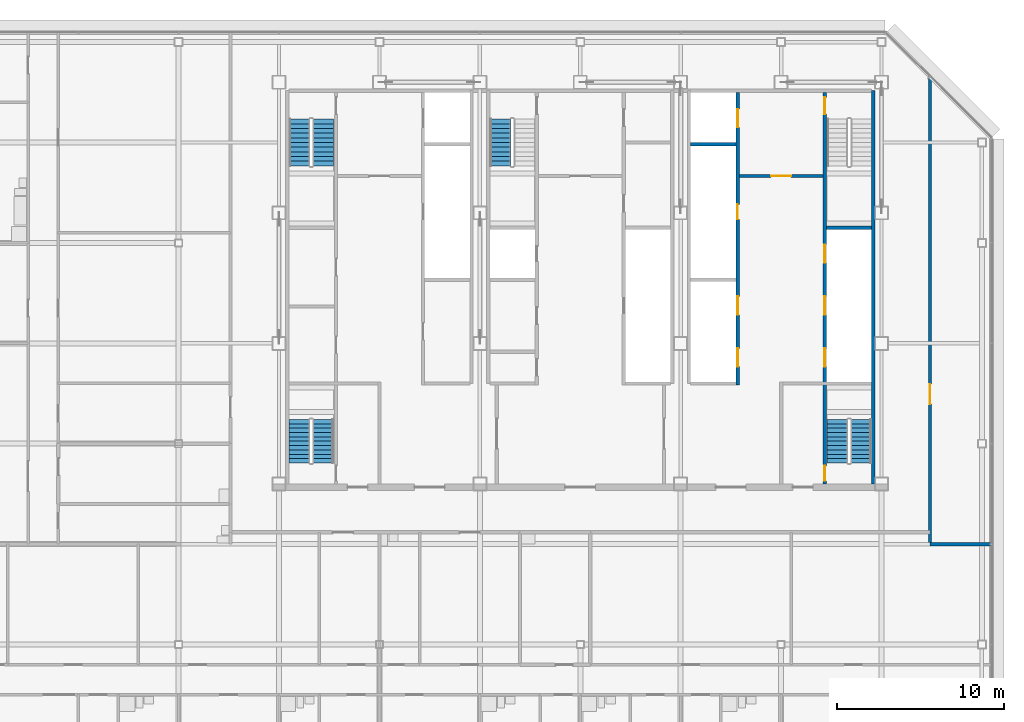
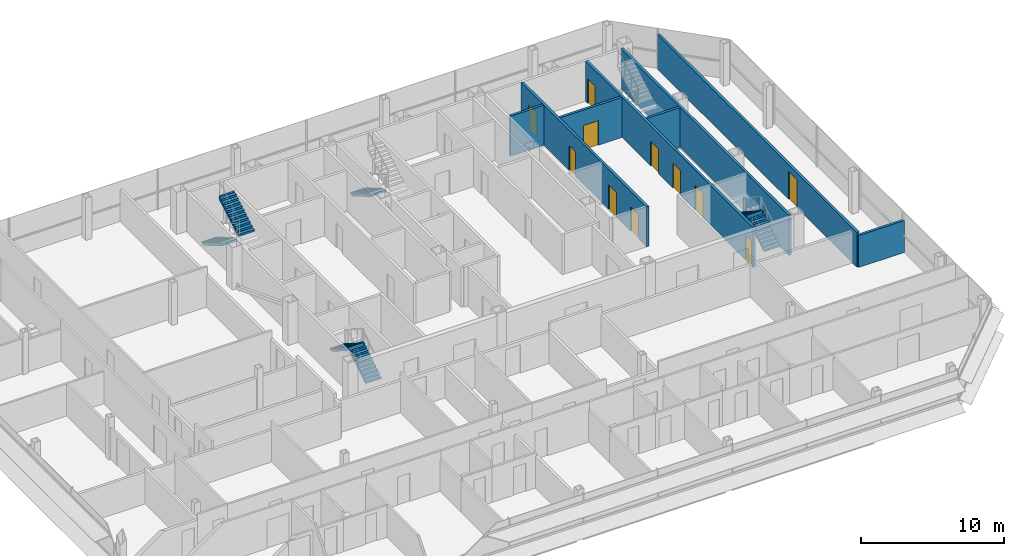
# One storey, part 25 of 28: 11 doors, 8 walls, 7 stair flights, 11 openings, 4 elements without a shape of their own.
"""IFC4 building model written with IfcOpenShell, lengths in metres."""

from ifc_helpers import new_model, si_unit, direction, frame, frame_2d, origin, place, context, subcontext, project, spatial, polyline, rectangle, outline, extrude, material, layer, layer_set, type_object, element, fill, aggregate, save


model = new_model("IFC4")

# Units and contexts
model_context = context("Model", 3, precision=1e-05, world=origin(), true_north=direction((0.0, 1.0)))
body_context = subcontext(model_context, "Body", "Model", "MODEL_VIEW")
ifc_project = project(units=[si_unit("LENGTHUNIT", "METRE"), si_unit("AREAUNIT", "SQUARE_METRE"), si_unit("VOLUMEUNIT", "CUBIC_METRE"), si_unit("PLANEANGLEUNIT", "RADIAN"), si_unit("MASSUNIT", "GRAM", prefix="KILO")], contexts=[model_context])

# Site, building, storey
site_placement = place(None, origin())
site = spatial("IfcSite", under=ifc_project, at=site_placement, CompositionType="ELEMENT")
building_placement = place(site_placement, origin())
building = spatial("IfcBuilding", under=site, at=building_placement, Name="Sorahane Residences", CompositionType="ELEMENT")
storey_placement = place(building_placement, frame((0.0, 0.0, 308.800048828125)))
storey = spatial("IfcBuildingStorey", under=building, at=storey_placement, Name="L73", CompositionType="ELEMENT", Elevation=308.800048828125)

# Wall
ifc_material_1 = material(Name="Concrete C30", Category="concrete")
ifc_layer_1 = layer(ifc_material_1, 0.199951171875)
ifc_layer_set_1 = layer_set([ifc_layer_1], Name="Core face wall 200 EI 180")
wall_type_1 = type_object("IfcWallType", Name="Core face wall 200 EI 180", PredefinedType="SOLIDWALL", material=ifc_layer_set_1)
wall_1_placement = place(storey_placement, frame((41.5, 21.60009765625, 0.0), z_axis=(0.0, 0.0, 1.0), x_axis=(0.0, 1.0, 0.0)))
element("IfcWall", 1, at=wall_1_placement, inside=storey, type_object=wall_type_1, Name="L73 core face wall", PredefinedType="SOLIDWALL", context=body_context, shape_type="SweptSolid", body=[
    extrude(rectangle(XDim=23.5, YDim=0.199951171875, at=frame_2d((11.75, 0.0))), origin(), (0.0, 0.0, 1.0), 3.419921875),
])

# Wall, opening, door
ifc_material_2 = material(Name="Concrete blockwork C20 wall", Category="masonry")
ifc_layer_2 = layer(ifc_material_2, 0.199951171875)
ifc_layer_set_2 = layer_set([ifc_layer_2], Name="Corridor wall 200 EI 120")
wall_type_2 = type_object("IfcWallType", Name="Corridor wall 200 EI 120", PredefinedType="SOLIDWALL", material=ifc_layer_set_2)
wall_2_placement = place(storey_placement, frame((44.89990234375, 18.0, 0.0), z_axis=(0.0, 0.0, 1.0), x_axis=(0.0, 1.0, 0.0)))
wall_2 = element("IfcWall", 2, at=wall_2_placement, inside=storey, type_object=wall_type_2, Name="L73 corridor wall", PredefinedType="SOLIDWALL", context=body_context, shape_type="SweptSolid", body=[
    extrude(rectangle(XDim=27.948974609375, YDim=0.199951171875, at=frame_2d((13.974609375, 0.0))), origin(), (0.0, 0.0, 1.0), 2.969970703125),
])
opening_1_placement = place(wall_2_placement, frame((8.360107421875, 0.0, 0.0)))
opening_1 = element("IfcOpeningElement", 3, at=opening_1_placement, cuts=wall_2, Name="Opening L73-47", PredefinedType="OPENING", context=body_context, shape_type="SweptSolid", body=[
    extrude(rectangle(XDim=1.199951171875, YDim=2.39990234375, at=frame_2d((0.60009765625, 1.199951171875))), frame((0.0, 0.10986328125, 0.0), z_axis=(0.0, -1.0, 0.0), x_axis=(1.0, 0.0, 0.0)), (0.0, 0.0, 1.0), 0.219970703125),
])
ifc_material_3 = material(Name="Steel", Category="steel")
door_type_1 = type_object("IfcDoorType", Name="Lobby door 1200x2400 FD60", OperationType="NOTDEFINED", PredefinedType="DOOR", material=ifc_material_3)
door_1_placement = place(opening_1_placement, frame((1.199951171875, 0.0, 0.0), z_axis=(0.0, 0.0, 1.0), x_axis=(-1.0, 0.0, 0.0)))
door_1 = element("IfcDoor", 4, at=door_1_placement, inside=storey, type_object=door_type_1, Name="Lobby door L73-47", OperationType="SINGLE_SWING_RIGHT", OverallHeight=2.39990234375, OverallWidth=1.199951171875, PredefinedType="DOOR", context=body_context, shape_type="SweptSolid", body=[
    extrude(rectangle(XDim=1.199951171875, YDim=2.39990234375, at=frame_2d((0.60009765625, 1.199951171875))), frame((0.0, 0.02490234375, 0.0), z_axis=(0.0, -1.0, 0.0), x_axis=(1.0, 0.0, 0.0)), (0.0, 0.0, 1.0), 0.050048828125),
])
fill(opening_1, door_1)

# Wall
wall_3_placement = place(storey_placement, frame((44.89990234375, 18.0, 0.0), z_axis=(0.0, 0.0, 1.0), x_axis=(1.0, 0.0, 0.0)))
element("IfcWall", 5, at=wall_3_placement, inside=storey, type_object=wall_type_2, Name="L73 corridor wall", PredefinedType="SOLIDWALL", context=body_context, shape_type="SweptSolid", body=[
    extrude(rectangle(XDim=3.7001953125, YDim=0.199951171875, at=frame_2d((1.85009765625, 0.0))), origin(), (0.0, 0.0, 1.0), 2.719970703125),
])

# Wall, opening, door
ifc_material_4 = material(Name="Concrete C30", Category="concrete")
ifc_layer_3 = layer(ifc_material_4, 0.199951171875)
ifc_layer_set_3 = layer_set([ifc_layer_3], Name="Front room wall 200 EI 120")
wall_type_3 = type_object("IfcWallType", Name="Front room wall 200 EI 120", PredefinedType="PARTITIONING", material=ifc_layer_set_3)
wall_4_placement = place(storey_placement, frame((33.5, 40.0, 0.0), z_axis=(0.0, 0.0, 1.0), x_axis=(1.0, 0.0, 0.0)))
wall_4 = element("IfcWall", 6, at=wall_4_placement, inside=storey, type_object=wall_type_3, Name="L73 front room wall", PredefinedType="PARTITIONING", context=body_context, shape_type="SweptSolid", body=[
    extrude(rectangle(XDim=5.0, YDim=0.199951171875, at=frame_2d((2.5, 0.0))), origin(), (0.0, 0.0, 1.0), 3.419921875),
])
opening_2_placement = place(wall_4_placement, frame((1.89990234375, 0.0, 0.0)))
opening_2 = element("IfcOpeningElement", 7, at=opening_2_placement, cuts=wall_4, Name="Opening L73-C10", PredefinedType="OPENING", context=body_context, shape_type="SweptSolid", body=[
    extrude(rectangle(XDim=1.199951171875, YDim=2.10009765625, at=frame_2d((0.60009765625, 1.050048828125))), frame((0.0, 0.10986328125, 0.0), z_axis=(0.0, -1.0, 0.0), x_axis=(1.0, 0.0, 0.0)), (0.0, 0.0, 1.0), 0.219970703125),
])
ifc_material_5 = material(Name="Steel", Category="steel")
door_type_2 = type_object("IfcDoorType", Name="Front room door 1200x2100 FD120", OperationType="NOTDEFINED", PredefinedType="DOOR", material=ifc_material_5)
door_2_placement = place(opening_2_placement, frame((1.199951171875, 0.0, 0.0), z_axis=(0.0, 0.0, 1.0), x_axis=(-1.0, 0.0, 0.0)))
door_2 = element("IfcDoor", 8, at=door_2_placement, inside=storey, type_object=door_type_2, Name="Front room door Firefighting lobby FF2 front room L73", OperationType="DOUBLE_DOOR_SINGLE_SWING", OverallHeight=2.10009765625, OverallWidth=1.199951171875, PredefinedType="DOOR", context=body_context, shape_type="SweptSolid", body=[
    extrude(rectangle(XDim=1.199951171875, YDim=2.10009765625, at=frame_2d((0.60009765625, 1.050048828125))), frame((0.0, 0.02490234375, 0.0), z_axis=(0.0, -1.0, 0.0), x_axis=(1.0, 0.0, 0.0)), (0.0, 0.0, 1.0), 0.050048828125),
])
fill(opening_2, door_2)

# Wall, openings, doors
ifc_material_6 = material(Name="Concrete C30", Category="concrete")
ifc_layer_4 = layer(ifc_material_6, 0.199951171875)
ifc_layer_set_4 = layer_set([ifc_layer_4], Name="Lift shaft wall 200 EI 120")
wall_type_4 = type_object("IfcWallType", Name="Lift shaft wall 200 EI 120", PredefinedType="SOLIDWALL", material=ifc_layer_set_4)
wall_5_placement = place(storey_placement, frame((33.39990234375, 27.5, 0.0), z_axis=(0.0, 0.0, 1.0), x_axis=(0.0, 1.0, 0.0)))
wall_5 = element("IfcWall", 9, at=wall_5_placement, inside=storey, type_object=wall_type_4, Name="L73 lift shaft wall", PredefinedType="SOLIDWALL", context=body_context, shape_type="SweptSolid", body=[
    extrude(rectangle(XDim=17.5, YDim=0.199951171875, at=frame_2d((8.75, 0.0))), origin(), (0.0, 0.0, 1.0), 3.419921875),
])
opening_3_placement = place(wall_5_placement, frame((1.10009765625, 0.0, 0.0)))
opening_3 = element("IfcOpeningElement", 10, at=opening_3_placement, cuts=wall_5, Name="Opening L73-C14", PredefinedType="OPENING", context=body_context, shape_type="SweptSolid", body=[
    extrude(rectangle(XDim=1.10009765625, YDim=2.10009765625, at=frame_2d((0.550048828125, 1.050048828125))), frame((0.0, 0.10986328125, 0.0), z_axis=(0.0, -1.0, 0.0), x_axis=(1.0, 0.0, 0.0)), (0.0, 0.0, 1.0), 0.219970703125),
])
opening_4_placement = place(wall_5_placement, frame((4.199951171875, 0.0, 0.0)))
opening_4 = element("IfcOpeningElement", 11, at=opening_4_placement, cuts=wall_5, Name="Opening L73-C15", PredefinedType="OPENING", context=body_context, shape_type="SweptSolid", body=[
    extrude(rectangle(XDim=1.10009765625, YDim=2.10009765625, at=frame_2d((0.550048828125, 1.050048828125))), frame((0.0, 0.10986328125, 0.0), z_axis=(0.0, -1.0, 0.0), x_axis=(1.0, 0.0, 0.0)), (0.0, 0.0, 1.0), 0.219970703125),
])
opening_5_placement = place(wall_5_placement, frame((15.39990234375, 0.0, 0.0)))
opening_5 = element("IfcOpeningElement", 12, at=opening_5_placement, cuts=wall_5, Name="Opening L73-C16", PredefinedType="OPENING", context=body_context, shape_type="SweptSolid", body=[
    extrude(rectangle(XDim=1.10009765625, YDim=2.10009765625, at=frame_2d((0.550048828125, 1.050048828125))), frame((0.0, 0.10986328125, 0.0), z_axis=(0.0, -1.0, 0.0), x_axis=(1.0, 0.0, 0.0)), (0.0, 0.0, 1.0), 0.219970703125),
])
opening_6_placement = place(wall_5_placement, frame((9.89990234375, 0.0, 0.0)))
opening_6 = element("IfcOpeningElement", 13, at=opening_6_placement, cuts=wall_5, Name="Opening L73-C29", PredefinedType="OPENING", context=body_context, shape_type="SweptSolid", body=[
    extrude(rectangle(XDim=0.89990234375, YDim=2.10009765625, at=frame_2d((0.449951171875, 1.050048828125))), frame((0.0, 0.10986328125, 0.0), z_axis=(0.0, -1.0, 0.0), x_axis=(1.0, 0.0, 0.0)), (0.0, 0.0, 1.0), 0.219970703125),
])
ifc_material_7 = material(Name="Aluminium and stainless steel", Category="steel")
door_type_3 = type_object("IfcDoorType", Name="Lift landing door 1100x2100 E 60", OperationType="NOTDEFINED", PredefinedType="DOOR", material=ifc_material_7)
door_3_placement = place(opening_3_placement, origin())
door_3 = element("IfcDoor", 14, at=door_3_placement, inside=storey, type_object=door_type_3, Name="Lift landing door HR4 L73", OperationType="DOUBLE_DOOR_SLIDING", OverallHeight=2.10009765625, OverallWidth=1.10009765625, PredefinedType="DOOR", context=body_context, shape_type="SweptSolid", body=[
    extrude(rectangle(XDim=1.10009765625, YDim=2.10009765625, at=frame_2d((0.550048828125, 1.050048828125))), frame((0.0, 0.02490234375, 0.0), z_axis=(0.0, -1.0, 0.0), x_axis=(1.0, 0.0, 0.0)), (0.0, 0.0, 1.0), 0.050048828125),
])
fill(opening_3, door_3)
door_4_placement = place(opening_4_placement, origin())
door_4 = element("IfcDoor", 15, at=door_4_placement, inside=storey, type_object=door_type_3, Name="Lift landing door HR5 L73", OperationType="DOUBLE_DOOR_SLIDING", OverallHeight=2.10009765625, OverallWidth=1.10009765625, PredefinedType="DOOR", context=body_context, shape_type="SweptSolid", body=[
    extrude(rectangle(XDim=1.10009765625, YDim=2.10009765625, at=frame_2d((0.550048828125, 1.050048828125))), frame((0.0, 0.02490234375, 0.0), z_axis=(0.0, -1.0, 0.0), x_axis=(1.0, 0.0, 0.0)), (0.0, 0.0, 1.0), 0.050048828125),
])
fill(opening_4, door_4)
door_5_placement = place(opening_5_placement, origin())
door_5 = element("IfcDoor", 16, at=door_5_placement, inside=storey, type_object=door_type_3, Name="Lift landing door FF2 L73", OperationType="DOUBLE_DOOR_SLIDING", OverallHeight=2.10009765625, OverallWidth=1.10009765625, PredefinedType="DOOR", context=body_context, shape_type="SweptSolid", body=[
    extrude(rectangle(XDim=1.10009765625, YDim=2.10009765625, at=frame_2d((0.550048828125, 1.050048828125))), frame((0.0, 0.02490234375, 0.0), z_axis=(0.0, -1.0, 0.0), x_axis=(1.0, 0.0, 0.0)), (0.0, 0.0, 1.0), 0.050048828125),
])
fill(opening_5, door_5)
ifc_material_8 = material(Name="Steel", Category="steel")
door_type_4 = type_object("IfcDoorType", Name="Riser door 900x2100 FD120", OperationType="NOTDEFINED", PredefinedType="DOOR", material=ifc_material_8)
door_6_placement = place(opening_6_placement, frame((0.89990234375, 0.0, 0.0), z_axis=(0.0, 0.0, 1.0), x_axis=(-1.0, 0.0, 0.0)))
door_6 = element("IfcDoor", 17, at=door_6_placement, inside=storey, type_object=door_type_4, Name="Riser door R2 L73", OperationType="SINGLE_SWING_LEFT", OverallHeight=2.10009765625, OverallWidth=0.89990234375, PredefinedType="DOOR", context=body_context, shape_type="SweptSolid", body=[
    extrude(rectangle(XDim=0.89990234375, YDim=2.10009765625, at=frame_2d((0.449951171875, 1.050048828125))), frame((0.0, 0.02490234375, 0.0), z_axis=(0.0, -1.0, 0.0), x_axis=(1.0, 0.0, 0.0)), (0.0, 0.0, 1.0), 0.050048828125),
])
fill(opening_6, door_6)

# Wall
wall_6_placement = place(storey_placement, frame((30.60009765625, 41.89990234375, 0.0), z_axis=(0.0, 0.0, 1.0), x_axis=(1.0, 0.0, 0.0)))
element("IfcWall", 18, at=wall_6_placement, inside=storey, type_object=wall_type_4, Name="L73 lift shaft wall", PredefinedType="SOLIDWALL", context=body_context, shape_type="SweptSolid", body=[
    extrude(rectangle(XDim=2.699951171875, YDim=0.199951171875, at=frame_2d((1.35009765625, 0.0))), origin(), (0.0, 0.0, 1.0), 3.419921875),
])

# Wall, openings, doors
ifc_material_9 = material(Name="Concrete C30", Category="concrete")
ifc_layer_5 = layer(ifc_material_9, 0.199951171875)
ifc_layer_set_5 = layer_set([ifc_layer_5], Name="Stair enclosure wall 200 EI 120")
wall_type_5 = type_object("IfcWallType", Name="Stair enclosure wall 200 EI 120", PredefinedType="SOLIDWALL", material=ifc_layer_set_5)
wall_7_placement = place(storey_placement, frame((38.60009765625, 21.60009765625, 0.0), z_axis=(0.0, 0.0, 1.0), x_axis=(0.0, 1.0, 0.0)))
wall_7 = element("IfcWall", 19, at=wall_7_placement, inside=storey, type_object=wall_type_5, Name="L73 stair enclosure wall", PredefinedType="SOLIDWALL", context=body_context, shape_type="SweptSolid", body=[
    extrude(rectangle(XDim=23.39990234375, YDim=0.199951171875, at=frame_2d((11.699951171875, 0.0))), origin(), (0.0, 0.0, 1.0), 3.419921875),
])
opening_7_placement = place(wall_7_placement, frame((7.0, 0.0, 0.0)))
opening_7 = element("IfcOpeningElement", 20, at=opening_7_placement, cuts=wall_7, Name="Opening L73-C11", PredefinedType="OPENING", context=body_context, shape_type="SweptSolid", body=[
    extrude(rectangle(XDim=1.10009765625, YDim=2.10009765625, at=frame_2d((0.550048828125, 1.050048828125))), frame((0.0, 0.10986328125, 0.0), z_axis=(0.0, -1.0, 0.0), x_axis=(1.0, 0.0, 0.0)), (0.0, 0.0, 1.0), 0.219970703125),
])
opening_8_placement = place(wall_7_placement, frame((10.10009765625, 0.0, 0.0)))
opening_8 = element("IfcOpeningElement", 21, at=opening_8_placement, cuts=wall_7, Name="Opening L73-C12", PredefinedType="OPENING", context=body_context, shape_type="SweptSolid", body=[
    extrude(rectangle(XDim=1.10009765625, YDim=2.10009765625, at=frame_2d((0.550048828125, 1.050048828125))), frame((0.0, 0.10986328125, 0.0), z_axis=(0.0, -1.0, 0.0), x_axis=(1.0, 0.0, 0.0)), (0.0, 0.0, 1.0), 0.219970703125),
])
opening_9_placement = place(wall_7_placement, frame((13.199951171875, 0.0, 0.0)))
opening_9 = element("IfcOpeningElement", 22, at=opening_9_placement, cuts=wall_7, Name="Opening L73-C13", PredefinedType="OPENING", context=body_context, shape_type="SweptSolid", body=[
    extrude(rectangle(XDim=1.10009765625, YDim=2.10009765625, at=frame_2d((0.550048828125, 1.050048828125))), frame((0.0, 0.10986328125, 0.0), z_axis=(0.0, -1.0, 0.0), x_axis=(1.0, 0.0, 0.0)), (0.0, 0.0, 1.0), 0.219970703125),
])
opening_10_placement = place(wall_7_placement, frame((22.10009765625, 0.0, 0.0)))
opening_10 = element("IfcOpeningElement", 23, at=opening_10_placement, cuts=wall_7, Name="Opening L73-C24", PredefinedType="OPENING", context=body_context, shape_type="SweptSolid", body=[
    extrude(rectangle(XDim=1.0, YDim=2.10009765625, at=frame_2d((0.5, 1.050048828125))), frame((0.0, 0.10986328125, 0.0), z_axis=(0.0, -1.0, 0.0), x_axis=(1.0, 0.0, 0.0)), (0.0, 0.0, 1.0), 0.219970703125),
])
opening_11_placement = place(wall_7_placement, frame((0.175048828125, 0.0, 0.0)))
opening_11 = element("IfcOpeningElement", 24, at=opening_11_placement, cuts=wall_7, Name="Opening L73-C27", PredefinedType="OPENING", context=body_context, shape_type="SweptSolid", body=[
    extrude(rectangle(XDim=0.89990234375, YDim=2.10009765625, at=frame_2d((0.449951171875, 1.050048828125))), frame((0.0, 0.10986328125, 0.0), z_axis=(0.0, -1.0, 0.0), x_axis=(1.0, 0.0, 0.0)), (0.0, 0.0, 1.0), 0.219970703125),
])
door_7_placement = place(opening_7_placement, origin())
door_7 = element("IfcDoor", 25, at=door_7_placement, inside=storey, type_object=door_type_3, Name="Lift landing door HR1 L73", OperationType="DOUBLE_DOOR_SLIDING", OverallHeight=2.10009765625, OverallWidth=1.10009765625, PredefinedType="DOOR", context=body_context, shape_type="SweptSolid", body=[
    extrude(rectangle(XDim=1.10009765625, YDim=2.10009765625, at=frame_2d((0.550048828125, 1.050048828125))), frame((0.0, 0.02490234375, 0.0), z_axis=(0.0, -1.0, 0.0), x_axis=(1.0, 0.0, 0.0)), (0.0, 0.0, 1.0), 0.050048828125),
])
fill(opening_7, door_7)
door_8_placement = place(opening_8_placement, origin())
door_8 = element("IfcDoor", 26, at=door_8_placement, inside=storey, type_object=door_type_3, Name="Lift landing door HR2 L73", OperationType="DOUBLE_DOOR_SLIDING", OverallHeight=2.10009765625, OverallWidth=1.10009765625, PredefinedType="DOOR", context=body_context, shape_type="SweptSolid", body=[
    extrude(rectangle(XDim=1.10009765625, YDim=2.10009765625, at=frame_2d((0.550048828125, 1.050048828125))), frame((0.0, 0.02490234375, 0.0), z_axis=(0.0, -1.0, 0.0), x_axis=(1.0, 0.0, 0.0)), (0.0, 0.0, 1.0), 0.050048828125),
])
fill(opening_8, door_8)
door_9_placement = place(opening_9_placement, origin())
door_9 = element("IfcDoor", 27, at=door_9_placement, inside=storey, type_object=door_type_3, Name="Lift landing door HR3 L73", OperationType="DOUBLE_DOOR_SLIDING", OverallHeight=2.10009765625, OverallWidth=1.10009765625, PredefinedType="DOOR", context=body_context, shape_type="SweptSolid", body=[
    extrude(rectangle(XDim=1.10009765625, YDim=2.10009765625, at=frame_2d((0.550048828125, 1.050048828125))), frame((0.0, 0.02490234375, 0.0), z_axis=(0.0, -1.0, 0.0), x_axis=(1.0, 0.0, 0.0)), (0.0, 0.0, 1.0), 0.050048828125),
])
fill(opening_9, door_9)
ifc_material_10 = material(Name="Steel", Category="steel")
door_type_5 = type_object("IfcDoorType", Name="Stair door 1000x2100 FD120", OperationType="NOTDEFINED", PredefinedType="DOOR", material=ifc_material_10)
door_10_placement = place(opening_10_placement, frame((1.0, 0.0, 0.0), z_axis=(0.0, 0.0, 1.0), x_axis=(-1.0, 0.0, 0.0)))
door_10 = element("IfcDoor", 28, at=door_10_placement, inside=storey, type_object=door_type_5, Name="Stair door S2 L73", OperationType="SINGLE_SWING_LEFT", OverallHeight=2.10009765625, OverallWidth=1.0, PredefinedType="DOOR", context=body_context, shape_type="SweptSolid", body=[
    extrude(rectangle(XDim=1.0, YDim=2.10009765625, at=frame_2d((0.5, 1.050048828125))), frame((0.0, 0.02490234375, 0.0), z_axis=(0.0, -1.0, 0.0), x_axis=(1.0, 0.0, 0.0)), (0.0, 0.0, 1.0), 0.050048828125),
])
fill(opening_10, door_10)
ifc_material_11 = material(Name="Steel", Category="steel")
door_type_6 = type_object("IfcDoorType", Name="Stair door 900x2100 FD120", OperationType="NOTDEFINED", PredefinedType="DOOR", material=ifc_material_11)
door_11_placement = place(opening_11_placement, frame((0.89990234375, 0.0, 0.0), z_axis=(0.0, 0.0, 1.0), x_axis=(-1.0, 0.0, 0.0)))
door_11 = element("IfcDoor", 29, at=door_11_placement, inside=storey, type_object=door_type_6, Name="Stair door S5 L73", OperationType="SINGLE_SWING_LEFT", OverallHeight=2.10009765625, OverallWidth=0.89990234375, PredefinedType="DOOR", context=body_context, shape_type="SweptSolid", body=[
    extrude(rectangle(XDim=0.89990234375, YDim=2.10009765625, at=frame_2d((0.449951171875, 1.050048828125))), frame((0.0, 0.02490234375, 0.0), z_axis=(0.0, -1.0, 0.0), x_axis=(1.0, 0.0, 0.0)), (0.0, 0.0, 1.0), 0.050048828125),
])
fill(opening_11, door_11)

# Wall
wall_8_placement = place(storey_placement, frame((38.699951171875, 36.89990234375, 0.0), z_axis=(0.0, 0.0, 1.0), x_axis=(1.0, 0.0, 0.0)))
element("IfcWall", 30, at=wall_8_placement, inside=storey, type_object=wall_type_5, Name="L73 stair enclosure wall", PredefinedType="SOLIDWALL", context=body_context, shape_type="SweptSolid", body=[
    extrude(rectangle(XDim=2.699951171875, YDim=0.199951171875, at=frame_2d((1.35009765625, 0.0))), origin(), (0.0, 0.0, 1.0), 3.419921875),
])

# Stair, stair flights
ifc_material_12 = material(Name="Concrete C40", Category="concrete")
stair_type = type_object("IfcStairType", Name="Dog-leg stair 1250 Concrete C40", PredefinedType="HALF_TURN_STAIR", material=ifc_material_12)
stair_1_placement = place(storey_placement, origin())
stair_1 = element("IfcStair", 31, at=stair_1_placement, inside=storey, type_object=stair_type, Name="L73 Stair S1", PredefinedType="HALF_TURN_STAIR")
ifc_material_13 = material(Name="Concrete C40", Category="concrete")
stair_flight_type = type_object("IfcStairFlightType", Name="Stair flight 1250 Concrete C40", PredefinedType="STRAIGHT", material=ifc_material_13)
stair_flight_1_placement = place(storey_placement, frame((7.22509765625, 43.39990234375, 0.0), z_axis=(0.0, 0.0, 1.0), x_axis=(0.0, -1.0, 0.0)))
stair_flight_1 = element("IfcStairFlight", 32, at=stair_flight_1_placement, type_object=stair_flight_type, Name="S1 flight 1", NumberOfRisers=11, NumberOfTreads=10, PredefinedType="STRAIGHT", RiserHeight=0.163636364, TreadLength=0.28, context=body_context, shape_type="SweptSolid", body=[
    extrude(outline(polyline([(-0.00146484375, 0.0), (-0.00146484375, 0.16357421875), (0.0, 0.16357421875), (0.280029296875, 0.16357421875), (0.280029296875, 0.327392578125), (0.56005859375, 0.327392578125), (0.56005859375, 0.490966796875), (0.840087890625, 0.490966796875), (0.840087890625, 0.654541015625), (1.1201171875, 0.654541015625), (1.1201171875, 0.818115234375), (1.39990234375, 0.818115234375), (1.39990234375, 0.98193359375), (1.679931640625, 0.98193359375), (1.679931640625, 1.1455078125), (1.9599609375, 1.1455078125), (1.9599609375, 1.30908203125), (2.239990234375, 1.30908203125), (2.239990234375, 1.47265625), (2.52001953125, 1.47265625), (2.52001953125, 1.636474609375), (2.800048828125, 1.636474609375), (2.800048828125, 1.800048828125), (2.800048828125, 1.462646484375), (2.59130859375, 1.3408203125), (2.3828125, 1.218994140625), (2.17431640625, 1.09716796875), (1.965576171875, 0.97509765625), (1.757080078125, 0.853271484375), (1.548583984375, 0.7314453125), (1.340087890625, 0.609375), (1.13134765625, 0.487548828125), (0.9228515625, 0.36572265625), (0.71435546875, 0.243896484375), (0.505615234375, 0.121826171875), (0.297119140625, 0.0), (-0.00146484375, 0.0)])), frame((0.0, 0.625, 0.0), z_axis=(0.0, -1.0, 0.0), x_axis=(1.0, 0.0, 0.0)), (0.0, 0.0, 1.0), 1.25),
])
stair_flight_2_placement = place(storey_placement, frame((8.625, 40.60009765625, 1.800048828125), z_axis=(0.0, 0.0, 1.0), x_axis=(0.0, 1.0, 0.0)))
stair_flight_2 = element("IfcStairFlight", 33, at=stair_flight_2_placement, type_object=stair_flight_type, Name="S1 flight 2", NumberOfRisers=11, NumberOfTreads=10, PredefinedType="STRAIGHT", RiserHeight=0.163636364, TreadLength=0.28, context=body_context, shape_type="SweptSolid", body=[
    extrude(outline(polyline([(0.0, 0.0), (0.0, 0.16357421875), (0.280029296875, 0.16357421875), (0.280029296875, 0.327392578125), (0.56005859375, 0.327392578125), (0.56005859375, 0.490966796875), (0.840087890625, 0.490966796875), (0.840087890625, 0.654541015625), (1.1201171875, 0.654541015625), (1.1201171875, 0.818115234375), (1.39990234375, 0.818115234375), (1.39990234375, 0.98193359375), (1.679931640625, 0.98193359375), (1.679931640625, 1.1455078125), (1.9599609375, 1.1455078125), (1.9599609375, 1.30908203125), (2.239990234375, 1.30908203125), (2.239990234375, 1.47265625), (2.52001953125, 1.47265625), (2.52001953125, 1.636474609375), (2.800048828125, 1.636474609375), (2.800048828125, 1.800048828125), (2.801513671875, 1.800048828125), (2.801513671875, 1.462646484375), (2.5927734375, 1.3408203125), (2.384033203125, 1.218994140625), (2.17529296875, 1.09716796875), (1.966796875, 0.97509765625), (1.758056640625, 0.853271484375), (1.54931640625, 0.7314453125), (1.340576171875, 0.609375), (1.1318359375, 0.487548828125), (0.923095703125, 0.36572265625), (0.714599609375, 0.243896484375), (0.505859375, 0.121826171875), (0.297119140625, 0.0), (0.0, 0.0)])), frame((0.0, 0.625, 0.0), z_axis=(0.0, -1.0, 0.0), x_axis=(1.0, 0.0, 0.0)), (0.0, 0.0, 1.0), 1.25),
])
aggregate(stair_1, [stair_flight_1, stair_flight_2])

# Stair, stair flight
stair_2_placement = place(storey_placement, origin())
stair_2 = element("IfcStair", 34, at=stair_2_placement, inside=storey, type_object=stair_type, Name="L73 Stair S3", PredefinedType="HALF_TURN_STAIR")
stair_flight_3_placement = place(storey_placement, frame((19.22509765625, 43.39990234375, 0.0), z_axis=(0.0, 0.0, 1.0), x_axis=(0.0, -1.0, 0.0)))
stair_flight_3 = element("IfcStairFlight", 35, at=stair_flight_3_placement, type_object=stair_flight_type, Name="S3 flight 1", NumberOfRisers=11, NumberOfTreads=10, PredefinedType="STRAIGHT", RiserHeight=0.163636364, TreadLength=0.28, context=body_context, shape_type="SweptSolid", body=[
    extrude(outline(polyline([(-0.00146484375, 0.0), (-0.00146484375, 0.16357421875), (0.0, 0.16357421875), (0.280029296875, 0.16357421875), (0.280029296875, 0.327392578125), (0.56005859375, 0.327392578125), (0.56005859375, 0.490966796875), (0.840087890625, 0.490966796875), (0.840087890625, 0.654541015625), (1.1201171875, 0.654541015625), (1.1201171875, 0.818115234375), (1.39990234375, 0.818115234375), (1.39990234375, 0.98193359375), (1.679931640625, 0.98193359375), (1.679931640625, 1.1455078125), (1.9599609375, 1.1455078125), (1.9599609375, 1.30908203125), (2.239990234375, 1.30908203125), (2.239990234375, 1.47265625), (2.52001953125, 1.47265625), (2.52001953125, 1.636474609375), (2.800048828125, 1.636474609375), (2.800048828125, 1.800048828125), (2.800048828125, 1.462646484375), (2.59130859375, 1.3408203125), (2.3828125, 1.218994140625), (2.17431640625, 1.09716796875), (1.965576171875, 0.97509765625), (1.757080078125, 0.853271484375), (1.548583984375, 0.7314453125), (1.340087890625, 0.609375), (1.13134765625, 0.487548828125), (0.9228515625, 0.36572265625), (0.71435546875, 0.243896484375), (0.505615234375, 0.121826171875), (0.297119140625, 0.0), (-0.00146484375, 0.0)])), frame((0.0, 0.625, 0.0), z_axis=(0.0, -1.0, 0.0), x_axis=(1.0, 0.0, 0.0)), (0.0, 0.0, 1.0), 1.25),
])
aggregate(stair_2, [stair_flight_3])

# Stair, stair flights
stair_3_placement = place(storey_placement, origin())
stair_3 = element("IfcStair", 36, at=stair_3_placement, inside=storey, type_object=stair_type, Name="L73 Stair S4", PredefinedType="HALF_TURN_STAIR")
stair_flight_4_placement = place(storey_placement, frame((8.625, 22.85009765625, 0.0), z_axis=(0.0, 0.0, 1.0), x_axis=(0.0, 1.0, 0.0)))
stair_flight_4 = element("IfcStairFlight", 37, at=stair_flight_4_placement, type_object=stair_flight_type, Name="S4 flight 1", NumberOfRisers=11, NumberOfTreads=10, PredefinedType="STRAIGHT", RiserHeight=0.163636364, TreadLength=0.26, context=body_context, shape_type="SweptSolid", body=[
    extrude(outline(polyline([(-0.00146484375, 0.0), (-0.00146484375, 0.16357421875), (0.0, 0.16357421875), (0.260009765625, 0.16357421875), (0.260009765625, 0.327392578125), (0.52001953125, 0.327392578125), (0.52001953125, 0.490966796875), (0.780029296875, 0.490966796875), (0.780029296875, 0.654541015625), (1.0400390625, 0.654541015625), (1.0400390625, 0.818115234375), (1.300048828125, 0.818115234375), (1.300048828125, 0.98193359375), (1.56005859375, 0.98193359375), (1.56005859375, 1.1455078125), (1.820068359375, 1.1455078125), (1.820068359375, 1.30908203125), (2.080078125, 1.30908203125), (2.080078125, 1.47265625), (2.340087890625, 1.47265625), (2.340087890625, 1.636474609375), (2.60009765625, 1.636474609375), (2.60009765625, 1.800048828125), (2.60009765625, 1.494384765625), (2.402099609375, 1.369873046875), (2.204345703125, 1.245361328125), (2.00634765625, 1.120849609375), (1.80859375, 0.996337890625), (1.610595703125, 0.871826171875), (1.412841796875, 0.747314453125), (1.21484375, 0.622802734375), (1.01708984375, 0.498046875), (0.819091796875, 0.37353515625), (0.621337890625, 0.2490234375), (0.42333984375, 0.12451171875), (0.2255859375, 0.0), (-0.00146484375, 0.0)])), frame((0.0, 0.625, 0.0), z_axis=(0.0, -1.0, 0.0), x_axis=(1.0, 0.0, 0.0)), (0.0, 0.0, 1.0), 1.25),
])
stair_flight_5_placement = place(storey_placement, frame((7.22509765625, 25.449951171875, 1.800048828125), z_axis=(0.0, 0.0, 1.0), x_axis=(0.0, -1.0, 0.0)))
stair_flight_5 = element("IfcStairFlight", 38, at=stair_flight_5_placement, type_object=stair_flight_type, Name="S4 flight 2", NumberOfRisers=11, NumberOfTreads=10, PredefinedType="STRAIGHT", RiserHeight=0.163636364, TreadLength=0.26, context=body_context, shape_type="SweptSolid", body=[
    extrude(outline(polyline([(0.0, 0.0), (0.0, 0.16357421875), (0.260009765625, 0.16357421875), (0.260009765625, 0.327392578125), (0.52001953125, 0.327392578125), (0.52001953125, 0.490966796875), (0.780029296875, 0.490966796875), (0.780029296875, 0.654541015625), (1.0400390625, 0.654541015625), (1.0400390625, 0.818115234375), (1.300048828125, 0.818115234375), (1.300048828125, 0.98193359375), (1.56005859375, 0.98193359375), (1.56005859375, 1.1455078125), (1.820068359375, 1.1455078125), (1.820068359375, 1.30908203125), (2.080078125, 1.30908203125), (2.080078125, 1.47265625), (2.340087890625, 1.47265625), (2.340087890625, 1.636474609375), (2.60009765625, 1.636474609375), (2.60009765625, 1.800048828125), (2.6015625, 1.800048828125), (2.6015625, 1.494384765625), (2.403564453125, 1.369873046875), (2.20556640625, 1.245361328125), (2.007568359375, 1.120849609375), (1.8095703125, 0.996337890625), (1.611572265625, 0.871826171875), (1.41357421875, 0.747314453125), (1.215576171875, 0.622802734375), (1.017578125, 0.498046875), (0.819580078125, 0.37353515625), (0.62158203125, 0.2490234375), (0.423583984375, 0.12451171875), (0.2255859375, 0.0), (0.0, 0.0)])), frame((0.0, 0.625, 0.0), z_axis=(0.0, -1.0, 0.0), x_axis=(1.0, 0.0, 0.0)), (0.0, 0.0, 1.0), 1.25),
])
aggregate(stair_3, [stair_flight_4, stair_flight_5])

stair_4_placement = place(storey_placement, origin())
stair_4 = element("IfcStair", 39, at=stair_4_placement, inside=storey, type_object=stair_type, Name="L73 Stair S5", PredefinedType="HALF_TURN_STAIR")
stair_flight_6_placement = place(storey_placement, frame((40.77490234375, 22.85009765625, 0.0), z_axis=(0.0, 0.0, 1.0), x_axis=(0.0, 1.0, 0.0)))
stair_flight_6 = element("IfcStairFlight", 40, at=stair_flight_6_placement, type_object=stair_flight_type, Name="S5 flight 1", NumberOfRisers=11, NumberOfTreads=10, PredefinedType="STRAIGHT", RiserHeight=0.163636364, TreadLength=0.26, context=body_context, shape_type="SweptSolid", body=[
    extrude(outline(polyline([(-0.00146484375, 0.0), (-0.00146484375, 0.16357421875), (0.0, 0.16357421875), (0.260009765625, 0.16357421875), (0.260009765625, 0.327392578125), (0.52001953125, 0.327392578125), (0.52001953125, 0.490966796875), (0.780029296875, 0.490966796875), (0.780029296875, 0.654541015625), (1.0400390625, 0.654541015625), (1.0400390625, 0.818115234375), (1.300048828125, 0.818115234375), (1.300048828125, 0.98193359375), (1.56005859375, 0.98193359375), (1.56005859375, 1.1455078125), (1.820068359375, 1.1455078125), (1.820068359375, 1.30908203125), (2.080078125, 1.30908203125), (2.080078125, 1.47265625), (2.340087890625, 1.47265625), (2.340087890625, 1.636474609375), (2.60009765625, 1.636474609375), (2.60009765625, 1.800048828125), (2.60009765625, 1.494384765625), (2.402099609375, 1.369873046875), (2.204345703125, 1.245361328125), (2.00634765625, 1.120849609375), (1.80859375, 0.996337890625), (1.610595703125, 0.871826171875), (1.412841796875, 0.747314453125), (1.21484375, 0.622802734375), (1.01708984375, 0.498046875), (0.819091796875, 0.37353515625), (0.621337890625, 0.2490234375), (0.42333984375, 0.12451171875), (0.2255859375, 0.0), (-0.00146484375, 0.0)])), frame((0.0, 0.625, 0.0), z_axis=(0.0, -1.0, 0.0), x_axis=(1.0, 0.0, 0.0)), (0.0, 0.0, 1.0), 1.25),
])
stair_flight_7_placement = place(storey_placement, frame((39.375, 25.449951171875, 1.800048828125), z_axis=(0.0, 0.0, 1.0), x_axis=(0.0, -1.0, 0.0)))
stair_flight_7 = element("IfcStairFlight", 41, at=stair_flight_7_placement, type_object=stair_flight_type, Name="S5 flight 2", NumberOfRisers=11, NumberOfTreads=10, PredefinedType="STRAIGHT", RiserHeight=0.163636364, TreadLength=0.26, context=body_context, shape_type="SweptSolid", body=[
    extrude(outline(polyline([(0.0, 0.0), (0.0, 0.16357421875), (0.260009765625, 0.16357421875), (0.260009765625, 0.327392578125), (0.52001953125, 0.327392578125), (0.52001953125, 0.490966796875), (0.780029296875, 0.490966796875), (0.780029296875, 0.654541015625), (1.0400390625, 0.654541015625), (1.0400390625, 0.818115234375), (1.300048828125, 0.818115234375), (1.300048828125, 0.98193359375), (1.56005859375, 0.98193359375), (1.56005859375, 1.1455078125), (1.820068359375, 1.1455078125), (1.820068359375, 1.30908203125), (2.080078125, 1.30908203125), (2.080078125, 1.47265625), (2.340087890625, 1.47265625), (2.340087890625, 1.636474609375), (2.60009765625, 1.636474609375), (2.60009765625, 1.800048828125), (2.6015625, 1.800048828125), (2.6015625, 1.494384765625), (2.403564453125, 1.369873046875), (2.20556640625, 1.245361328125), (2.007568359375, 1.120849609375), (1.8095703125, 0.996337890625), (1.611572265625, 0.871826171875), (1.41357421875, 0.747314453125), (1.215576171875, 0.622802734375), (1.017578125, 0.498046875), (0.819580078125, 0.37353515625), (0.62158203125, 0.2490234375), (0.423583984375, 0.12451171875), (0.2255859375, 0.0), (0.0, 0.0)])), frame((0.0, 0.625, 0.0), z_axis=(0.0, -1.0, 0.0), x_axis=(1.0, 0.0, 0.0)), (0.0, 0.0, 1.0), 1.25),
])
aggregate(stair_4, [stair_flight_6, stair_flight_7])

save(model, "model.ifc")
